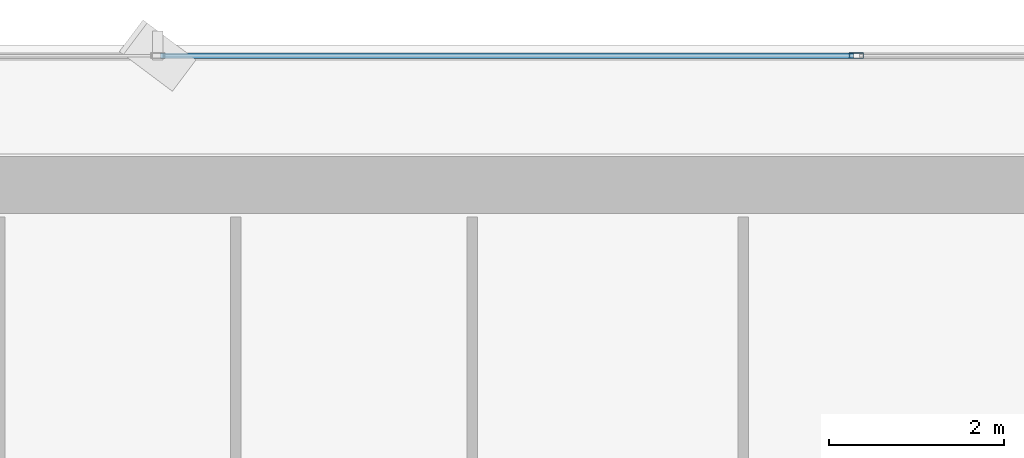
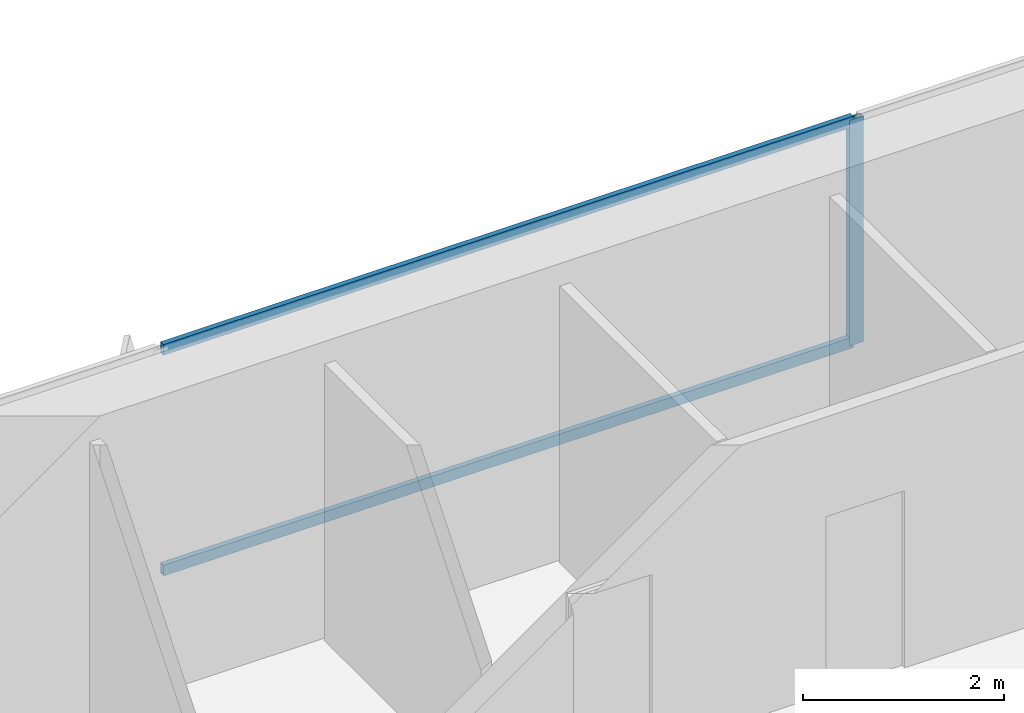
# One storey, part 21 of 34: 3 members, 1 element without a shape of its own.
"""IFC4 building model written with IfcOpenShell, lengths in metres."""

from ifc_helpers import new_model, si_unit, direction, frame, origin, origin_2d, place, context, subcontext, project, spatial, hollow_rectangle, extrude, source, transform, mapped, material, layer, layer_set, material_profile, profile_set, type_object, element, aggregate, save


model = new_model("IFC4")

# Units and contexts
model_context = context("Model", 3, precision=1e-05, world=origin(), true_north=direction((0.0, 1.0)))
body_context = subcontext(model_context, "Body", "Model", "MODEL_VIEW")
ifc_project = project(units=[si_unit("LENGTHUNIT", "METRE"), si_unit("AREAUNIT", "SQUARE_METRE"), si_unit("VOLUMEUNIT", "CUBIC_METRE"), si_unit("PLANEANGLEUNIT", "RADIAN"), si_unit("MASSUNIT", "GRAM", prefix="KILO")], contexts=[model_context])

# Site, building, storey
site_placement = place(None, origin())
site = spatial("IfcSite", under=ifc_project, at=site_placement, CompositionType="ELEMENT")
building_placement = place(site_placement, origin())
building = spatial("IfcBuilding", under=site, at=building_placement, Name="Sumidabori Civic Tower", CompositionType="ELEMENT")
storey_placement = place(building_placement, frame((0.0, 0.0, 99.199951171875)))
storey = spatial("IfcBuildingStorey", under=building, at=storey_placement, Name="L25", CompositionType="ELEMENT", Elevation=99.199951171875)

# Curtain wall, members
ifc_material = material(Name="Anodised Bronze Aluminium AW-6063-T6", Category="aluminium")
ifc_layer = layer(ifc_material, 0.179931640625, Name="Anodised Bronze Aluminium AW-6063-T6")
ifc_layer_set = layer_set([ifc_layer], Name="Anodised Bronze Aluminium AW-6063-T6")
curtain_wall_type = type_object("IfcCurtainWallType", Name="CW-SYS-3", PredefinedType="NOTDEFINED", material=ifc_layer_set)
curtain_wall_placement = place(storey_placement, origin())
curtain_wall = element("IfcCurtainWall", 1, at=curtain_wall_placement, inside=storey, type_object=curtain_wall_type, Name="Curtain Wall CW:L25:R07", PredefinedType="NOTDEFINED")
ifc_material_profile_1 = material_profile(ifc_material, hollow_rectangle(XDim=0.06494140625, YDim=0.159912109375, WallThickness=0.0048828125, at=origin_2d()), Name="ALU MULLION 160x65")
ifc_profile_set_1 = profile_set([ifc_material_profile_1], Name="Anodised Bronze Aluminium AW-6063-T6")
member_type_1 = type_object("IfcMemberType", Name="CW-MUL-160", PredefinedType="MULLION", material=ifc_profile_set_1)
shared_shape_1 = source(origin(), body_context, "Body", "SweptSolid", [
    extrude(hollow_rectangle(XDim=0.06494140625, YDim=0.159912109375, WallThickness=0.0048828125, at=origin_2d()), origin(), (0.0, 0.0, 1.0), 2.739990234375),
])
member_1_placement = place(storey_placement, frame((3.993896484375, 25.280029296875, 0.0), z_axis=(0.0, 0.0, 1.0), x_axis=(0.0, -1.0, 0.0)))
member_1 = element("IfcMember", 2, at=member_1_placement, type_object=member_type_1, Name="CW-3 mullion 3", PredefinedType="MULLION", context=body_context, shape_type="MappedRepresentation", body=[
    mapped(shared_shape_1, transform((0.0, 0.0, 0.0), x_axis=(1.0, 0.0, 0.0), y_axis=(0.0, 1.0, 0.0), z_axis=(0.0, 0.0, 1.0), scale=1.0)),
])
ifc_material_profile_2 = material_profile(ifc_material, hollow_rectangle(XDim=0.06005859375, YDim=0.1298828125, WallThickness=0.0048828125, at=origin_2d()), Name="ALU TRANSOM 130x60")
ifc_profile_set_2 = profile_set([ifc_material_profile_2], Name="Anodised Bronze Aluminium AW-6063-T6")
member_type_2 = type_object("IfcMemberType", Name="CW-TRN-130", PredefinedType="USERDEFINED", material=ifc_profile_set_2)
shared_shape_2 = source(origin(), body_context, "Body", "SweptSolid", [
    extrude(hollow_rectangle(XDim=0.06005859375, YDim=0.1298828125, WallThickness=0.0048828125, at=origin_2d()), origin(), (0.0, 0.0, 1.0), 7.9228515625),
])
member_2_placement = place(storey_placement, frame((3.96142578125, 25.280029296875, 0.030029296875), z_axis=(-1.0, 0.0, 0.0), x_axis=(0.0, -1.0, 0.0)))
member_2 = element("IfcMember", 3, at=member_2_placement, type_object=member_type_2, Name="CW-3 transom 3.1", ObjectType="TRANSOM", PredefinedType="USERDEFINED", context=body_context, shape_type="MappedRepresentation", body=[
    mapped(shared_shape_2, transform((0.0, 0.0, 0.0), x_axis=(1.0, 0.0, 0.0), y_axis=(0.0, 1.0, 0.0), z_axis=(0.0, 0.0, 1.0), scale=1.0)),
])
member_3_placement = place(storey_placement, frame((3.96142578125, 25.280029296875, 2.7099609375), z_axis=(-1.0, 0.0, 0.0), x_axis=(0.0, -1.0, 0.0)))
member_3 = element("IfcMember", 4, at=member_3_placement, type_object=member_type_2, Name="CW-3 transom 3.2", ObjectType="TRANSOM", PredefinedType="USERDEFINED", context=body_context, shape_type="MappedRepresentation", body=[
    mapped(shared_shape_2, transform((0.0, 0.0, 0.0), x_axis=(1.0, 0.0, 0.0), y_axis=(0.0, 1.0, 0.0), z_axis=(0.0, 0.0, 1.0), scale=1.0)),
])
aggregate(curtain_wall, [member_1, member_2, member_3])

save(model, "model.ifc")
